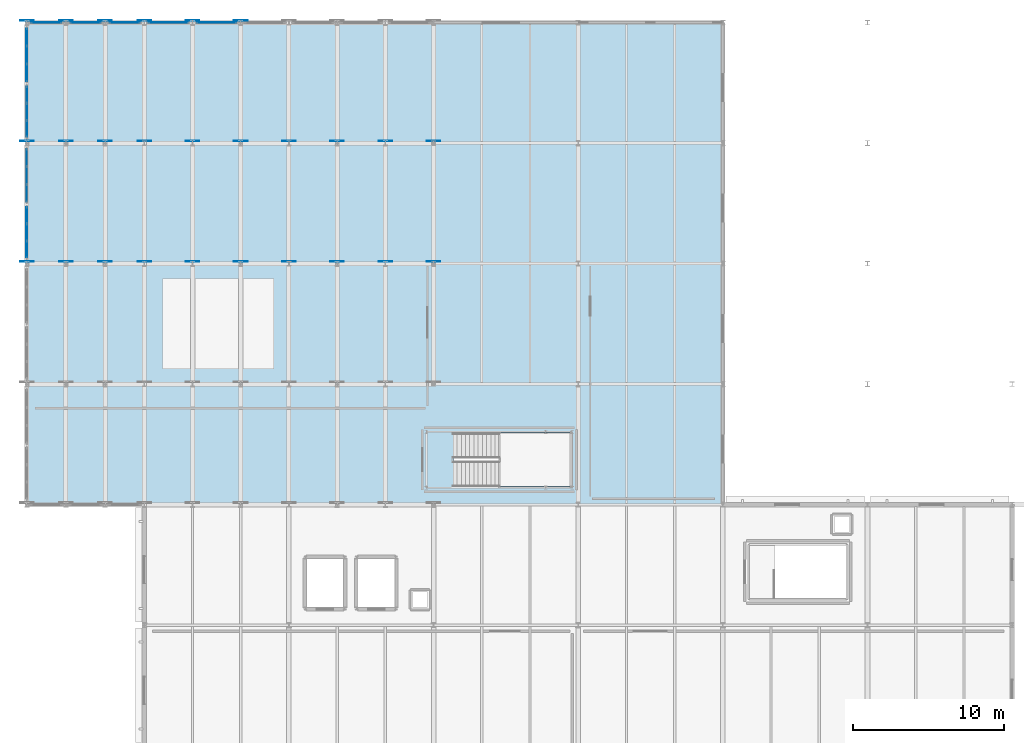
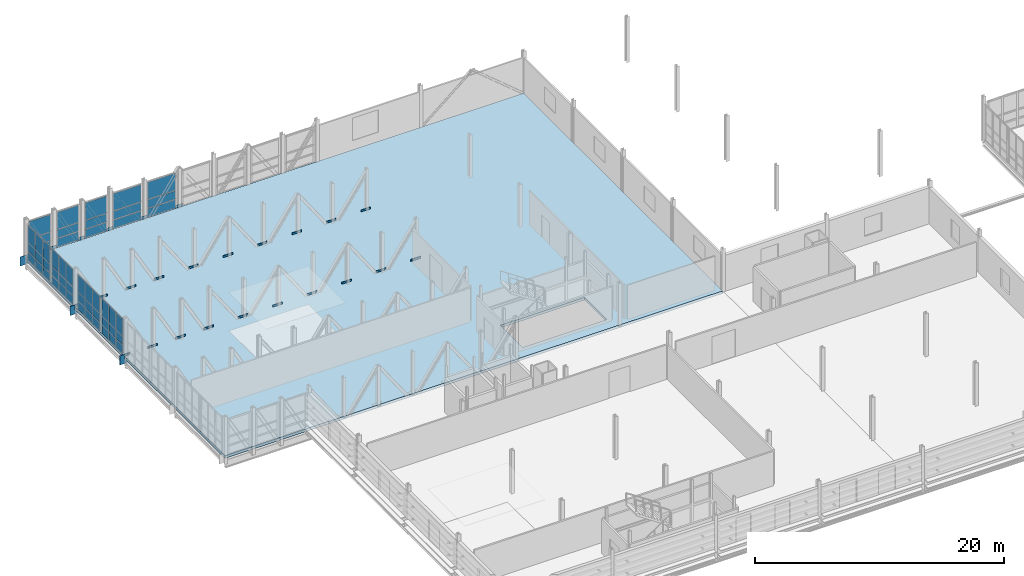
# One storey, part 52 of 73: 77 plates, 1 slab, 9 elements without a shape of their own.
"""IFC4 building model written with IfcOpenShell, lengths in metres."""

from ifc_helpers import new_model, si_unit, direction, frame, origin, origin_2d, place, context, subcontext, project, spatial, polyline, rectangle, outline, extrude, material, layer, layer_set, type_object, element, aggregate, save


model = new_model("IFC4")

# Units and contexts
model_context = context("Model", 3, precision=1e-05, world=origin(), true_north=direction((0.0, 1.0)))
body_context = subcontext(model_context, "Body", "Model", "MODEL_VIEW")
ifc_project = project(units=[si_unit("LENGTHUNIT", "METRE"), si_unit("AREAUNIT", "SQUARE_METRE"), si_unit("VOLUMEUNIT", "CUBIC_METRE"), si_unit("PLANEANGLEUNIT", "RADIAN"), si_unit("MASSUNIT", "GRAM", prefix="KILO")], contexts=[model_context])

# Site, building, storey
site_placement = place(None, origin())
site = spatial("IfcSite", under=ifc_project, at=site_placement, CompositionType="ELEMENT")
building_placement = place(site_placement, origin())
building = spatial("IfcBuilding", under=site, at=building_placement, Name="Alderhovde Museum", CompositionType="ELEMENT")
storey_placement = place(building_placement, frame((0.0, 0.0, 12.89990234375)))
storey = spatial("IfcBuildingStorey", under=building, at=storey_placement, Name="L03", CompositionType="ELEMENT", Elevation=12.89990234375)

# Curtain wall, plates
ifc_material_1 = material(Name="Triple-Glazed Bronze-Anodised Curtain Wall", Category="glass")
ifc_layer_1 = layer(ifc_material_1, 0.179931640625)
ifc_layer_set_1 = layer_set([ifc_layer_1], Name="Triple-Glazed Bronze-Anodised Curtain Wall")
curtain_wall_type_1 = type_object("IfcCurtainWallType", Name="CW-UNIT-360x354", PredefinedType="USERDEFINED", material=ifc_layer_set_1)
curtain_wall_1_placement = place(storey_placement, origin())
curtain_wall_1 = element("IfcCurtainWall", 1, at=curtain_wall_1_placement, inside=storey, type_object=curtain_wall_type_1, Name="L03 Unitised Curtain Wall 96", ObjectType="UNITISED CURTAIN WALL", PredefinedType="USERDEFINED")
ifc_material_2 = material(Name="Triple-Glazed Low-E Laminated Glass", Category="glass")
ifc_layer_2 = layer(ifc_material_2, 0.028076171875)
ifc_layer_set_2 = layer_set([ifc_layer_2], Name="Triple-Glazed Low-E Laminated Glass")
plate_type_1 = type_object("IfcPlateType", Name="CWP-GLAZ-28", PredefinedType="CURTAIN_PANEL", material=ifc_layer_set_2)
plate_1_placement = place(storey_placement, frame((1.800048828125, 100.666259765625, 0.06494140625), z_axis=(0.0, 0.0, 1.0), x_axis=(0.0, 1.0, 0.0)))
plate_1 = element("IfcPlate", 2, at=plate_1_placement, type_object=plate_type_1, Name="CW20 panel 1.1", PredefinedType="CURTAIN_PANEL", context=body_context, shape_type="SweptSolid", body=[
    extrude(rectangle(XDim=1.1025390625, YDim=0.028076171875, at=origin_2d()), origin(), (0.0, 0.0, 1.0), 0.802490234375),
])
plate_2_placement = place(storey_placement, frame((1.800048828125, 100.666259765625, 0.9326171875), z_axis=(0.0, 0.0, 1.0), x_axis=(0.0, 1.0, 0.0)))
plate_2 = element("IfcPlate", 3, at=plate_2_placement, type_object=plate_type_1, Name="CW20 panel 1.2", PredefinedType="CURTAIN_PANEL", context=body_context, shape_type="SweptSolid", body=[
    extrude(rectangle(XDim=1.1025390625, YDim=0.028076171875, at=origin_2d()), origin(), (0.0, 0.0, 1.0), 0.804931640625),
])
plate_3_placement = place(storey_placement, frame((1.800048828125, 100.666259765625, 1.802734375), z_axis=(0.0, 0.0, 1.0), x_axis=(0.0, 1.0, 0.0)))
plate_3 = element("IfcPlate", 4, at=plate_3_placement, type_object=plate_type_1, Name="CW20 panel 1.3", PredefinedType="CURTAIN_PANEL", context=body_context, shape_type="SweptSolid", body=[
    extrude(rectangle(XDim=1.1025390625, YDim=0.028076171875, at=origin_2d()), origin(), (0.0, 0.0, 1.0), 1.672607421875),
])
plate_4_placement = place(storey_placement, frame((1.800048828125, 101.85009765625, 0.06494140625), z_axis=(0.0, 0.0, 1.0), x_axis=(0.0, 1.0, 0.0)))
plate_4 = element("IfcPlate", 5, at=plate_4_placement, type_object=plate_type_1, Name="CW20 panel 2.1", PredefinedType="CURTAIN_PANEL", context=body_context, shape_type="SweptSolid", body=[
    extrude(rectangle(XDim=1.135009765625, YDim=0.028076171875, at=origin_2d()), origin(), (0.0, 0.0, 1.0), 0.802490234375),
])
plate_5_placement = place(storey_placement, frame((1.800048828125, 101.85009765625, 0.9326171875), z_axis=(0.0, 0.0, 1.0), x_axis=(0.0, 1.0, 0.0)))
plate_5 = element("IfcPlate", 6, at=plate_5_placement, type_object=plate_type_1, Name="CW20 panel 2.2", PredefinedType="CURTAIN_PANEL", context=body_context, shape_type="SweptSolid", body=[
    extrude(rectangle(XDim=1.135009765625, YDim=0.028076171875, at=origin_2d()), origin(), (0.0, 0.0, 1.0), 0.804931640625),
])
plate_6_placement = place(storey_placement, frame((1.800048828125, 101.85009765625, 1.802734375), z_axis=(0.0, 0.0, 1.0), x_axis=(0.0, 1.0, 0.0)))
plate_6 = element("IfcPlate", 7, at=plate_6_placement, type_object=plate_type_1, Name="CW20 panel 2.3", PredefinedType="CURTAIN_PANEL", context=body_context, shape_type="SweptSolid", body=[
    extrude(rectangle(XDim=1.135009765625, YDim=0.028076171875, at=origin_2d()), origin(), (0.0, 0.0, 1.0), 1.672607421875),
])
plate_7_placement = place(storey_placement, frame((1.800048828125, 103.03369140625, 0.06494140625), z_axis=(0.0, 0.0, 1.0), x_axis=(0.0, 1.0, 0.0)))
plate_7 = element("IfcPlate", 8, at=plate_7_placement, type_object=plate_type_1, Name="CW20 panel 3.1", PredefinedType="CURTAIN_PANEL", context=body_context, shape_type="SweptSolid", body=[
    extrude(rectangle(XDim=1.1025390625, YDim=0.028076171875, at=origin_2d()), origin(), (0.0, 0.0, 1.0), 0.802490234375),
])
plate_8_placement = place(storey_placement, frame((1.800048828125, 103.03369140625, 0.9326171875), z_axis=(0.0, 0.0, 1.0), x_axis=(0.0, 1.0, 0.0)))
plate_8 = element("IfcPlate", 9, at=plate_8_placement, type_object=plate_type_1, Name="CW20 panel 3.2", PredefinedType="CURTAIN_PANEL", context=body_context, shape_type="SweptSolid", body=[
    extrude(rectangle(XDim=1.1025390625, YDim=0.028076171875, at=origin_2d()), origin(), (0.0, 0.0, 1.0), 0.804931640625),
])
plate_9_placement = place(storey_placement, frame((1.800048828125, 103.03369140625, 1.802734375), z_axis=(0.0, 0.0, 1.0), x_axis=(0.0, 1.0, 0.0)))
plate_9 = element("IfcPlate", 10, at=plate_9_placement, type_object=plate_type_1, Name="CW20 panel 3.3", PredefinedType="CURTAIN_PANEL", context=body_context, shape_type="SweptSolid", body=[
    extrude(rectangle(XDim=1.1025390625, YDim=0.028076171875, at=origin_2d()), origin(), (0.0, 0.0, 1.0), 1.672607421875),
])
aggregate(curtain_wall_1, [plate_1, plate_2, plate_3, plate_4, plate_5, plate_6, plate_7, plate_8, plate_9])

ifc_material_3 = material(Name="Triple-Glazed Bronze-Anodised Curtain Wall", Category="glass")
ifc_layer_3 = layer(ifc_material_3, 0.179931640625)
ifc_layer_set_3 = layer_set([ifc_layer_3], Name="Triple-Glazed Bronze-Anodised Curtain Wall")
curtain_wall_type_2 = type_object("IfcCurtainWallType", Name="CW-UNIT-345x354", PredefinedType="USERDEFINED", material=ifc_layer_set_3)
curtain_wall_2_placement = place(storey_placement, origin())
curtain_wall_2 = element("IfcCurtainWall", 11, at=curtain_wall_2_placement, inside=storey, type_object=curtain_wall_type_2, Name="L03 Unitised Curtain Wall 97", ObjectType="UNITISED CURTAIN WALL", PredefinedType="USERDEFINED")
ifc_material_4 = material(Name="Triple-Glazed Low-E Laminated Glass", Category="glass")
ifc_layer_4 = layer(ifc_material_4, 0.035888671875)
ifc_layer_set_4 = layer_set([ifc_layer_4], Name="Triple-Glazed Low-E Laminated Glass")
plate_type_2 = type_object("IfcPlateType", Name="CWP-GLAZ-36", PredefinedType="CURTAIN_PANEL", material=ifc_layer_set_4)
plate_10_placement = place(storey_placement, frame((1.800048828125, 104.941162109375, 0.06494140625), z_axis=(0.0, 0.0, 1.0), x_axis=(0.0, 1.0, 0.0)))
plate_10 = element("IfcPlate", 12, at=plate_10_placement, type_object=plate_type_2, Name="CW24 panel 1.1", PredefinedType="CURTAIN_PANEL", context=body_context, shape_type="SweptSolid", body=[
    extrude(rectangle(XDim=1.052490234375, YDim=0.035888671875, at=origin_2d()), origin(), (0.0, 0.0, 1.0), 0.802490234375),
])
plate_11_placement = place(storey_placement, frame((1.800048828125, 104.941162109375, 0.9326171875), z_axis=(0.0, 0.0, 1.0), x_axis=(0.0, 1.0, 0.0)))
plate_11 = element("IfcPlate", 13, at=plate_11_placement, type_object=plate_type_2, Name="CW24 panel 1.2", PredefinedType="CURTAIN_PANEL", context=body_context, shape_type="SweptSolid", body=[
    extrude(rectangle(XDim=1.052490234375, YDim=0.035888671875, at=origin_2d()), origin(), (0.0, 0.0, 1.0), 0.804931640625),
])
plate_12_placement = place(storey_placement, frame((1.800048828125, 104.941162109375, 1.802734375), z_axis=(0.0, 0.0, 1.0), x_axis=(0.0, 1.0, 0.0)))
plate_12 = element("IfcPlate", 14, at=plate_12_placement, type_object=plate_type_2, Name="CW24 panel 1.3", PredefinedType="CURTAIN_PANEL", context=body_context, shape_type="SweptSolid", body=[
    extrude(rectangle(XDim=1.052490234375, YDim=0.035888671875, at=origin_2d()), origin(), (0.0, 0.0, 1.0), 1.672607421875),
])
plate_13_placement = place(storey_placement, frame((1.800048828125, 106.074951171875, 0.06494140625), z_axis=(0.0, 0.0, 1.0), x_axis=(0.0, 1.0, 0.0)))
plate_13 = element("IfcPlate", 15, at=plate_13_placement, type_object=plate_type_2, Name="CW24 panel 2.1", PredefinedType="CURTAIN_PANEL", context=body_context, shape_type="SweptSolid", body=[
    extrude(rectangle(XDim=1.0849609375, YDim=0.035888671875, at=origin_2d()), origin(), (0.0, 0.0, 1.0), 0.802490234375),
])
plate_14_placement = place(storey_placement, frame((1.800048828125, 106.074951171875, 0.9326171875), z_axis=(0.0, 0.0, 1.0), x_axis=(0.0, 1.0, 0.0)))
plate_14 = element("IfcPlate", 16, at=plate_14_placement, type_object=plate_type_2, Name="CW24 panel 2.2", PredefinedType="CURTAIN_PANEL", context=body_context, shape_type="SweptSolid", body=[
    extrude(rectangle(XDim=1.0849609375, YDim=0.035888671875, at=origin_2d()), origin(), (0.0, 0.0, 1.0), 0.804931640625),
])
plate_15_placement = place(storey_placement, frame((1.800048828125, 106.074951171875, 1.802734375), z_axis=(0.0, 0.0, 1.0), x_axis=(0.0, 1.0, 0.0)))
plate_15 = element("IfcPlate", 17, at=plate_15_placement, type_object=plate_type_2, Name="CW24 panel 2.3", PredefinedType="CURTAIN_PANEL", context=body_context, shape_type="SweptSolid", body=[
    extrude(rectangle(XDim=1.0849609375, YDim=0.035888671875, at=origin_2d()), origin(), (0.0, 0.0, 1.0), 1.672607421875),
])
plate_16_placement = place(storey_placement, frame((1.800048828125, 107.208740234375, 0.06494140625), z_axis=(0.0, 0.0, 1.0), x_axis=(0.0, 1.0, 0.0)))
plate_16 = element("IfcPlate", 18, at=plate_16_placement, type_object=plate_type_2, Name="CW24 panel 3.1", PredefinedType="CURTAIN_PANEL", context=body_context, shape_type="SweptSolid", body=[
    extrude(rectangle(XDim=1.052490234375, YDim=0.035888671875, at=origin_2d()), origin(), (0.0, 0.0, 1.0), 0.802490234375),
])
plate_17_placement = place(storey_placement, frame((1.800048828125, 107.208740234375, 0.9326171875), z_axis=(0.0, 0.0, 1.0), x_axis=(0.0, 1.0, 0.0)))
plate_17 = element("IfcPlate", 19, at=plate_17_placement, type_object=plate_type_2, Name="CW24 panel 3.2", PredefinedType="CURTAIN_PANEL", context=body_context, shape_type="SweptSolid", body=[
    extrude(rectangle(XDim=1.052490234375, YDim=0.035888671875, at=origin_2d()), origin(), (0.0, 0.0, 1.0), 0.804931640625),
])
plate_18_placement = place(storey_placement, frame((1.800048828125, 107.208740234375, 1.802734375), z_axis=(0.0, 0.0, 1.0), x_axis=(0.0, 1.0, 0.0)))
plate_18 = element("IfcPlate", 20, at=plate_18_placement, type_object=plate_type_2, Name="CW24 panel 3.3", PredefinedType="CURTAIN_PANEL", context=body_context, shape_type="SweptSolid", body=[
    extrude(rectangle(XDim=1.052490234375, YDim=0.035888671875, at=origin_2d()), origin(), (0.0, 0.0, 1.0), 1.672607421875),
])
aggregate(curtain_wall_2, [plate_10, plate_11, plate_12, plate_13, plate_14, plate_15, plate_16, plate_17, plate_18])

ifc_material_5 = material(Name="Triple-Glazed Bronze-Anodised Curtain Wall", Category="glass")
ifc_layer_5 = layer(ifc_material_5, 0.179931640625)
ifc_layer_set_5 = layer_set([ifc_layer_5], Name="Triple-Glazed Bronze-Anodised Curtain Wall")
curtain_wall_type_3 = type_object("IfcCurtainWallType", Name="CW-UNIT-212x354", PredefinedType="USERDEFINED", material=ifc_layer_set_5)
curtain_wall_3_placement = place(storey_placement, origin())
curtain_wall_3 = element("IfcCurtainWall", 21, at=curtain_wall_3_placement, inside=storey, type_object=curtain_wall_type_3, Name="L03 Unitised Curtain Wall 101", ObjectType="UNITISED CURTAIN WALL", PredefinedType="USERDEFINED")
plate_19_placement = place(storey_placement, frame((5.699951171875, 112.0, 0.06494140625), z_axis=(0.0, 0.0, 1.0), x_axis=(1.0, 0.0, 0.0)))
plate_19 = element("IfcPlate", 22, at=plate_19_placement, type_object=plate_type_2, Name="CW25 panel 1.1", PredefinedType="CURTAIN_PANEL", context=body_context, shape_type="SweptSolid", body=[
    extrude(rectangle(XDim=1.989990234375, YDim=0.035888671875, at=origin_2d()), origin(), (0.0, 0.0, 1.0), 0.802490234375),
])
plate_20_placement = place(storey_placement, frame((5.699951171875, 112.0, 0.9326171875), z_axis=(0.0, 0.0, 1.0), x_axis=(1.0, 0.0, 0.0)))
plate_20 = element("IfcPlate", 23, at=plate_20_placement, type_object=plate_type_2, Name="CW25 panel 1.2", PredefinedType="CURTAIN_PANEL", context=body_context, shape_type="SweptSolid", body=[
    extrude(rectangle(XDim=1.989990234375, YDim=0.035888671875, at=origin_2d()), origin(), (0.0, 0.0, 1.0), 0.804931640625),
])
plate_21_placement = place(storey_placement, frame((5.699951171875, 112.0, 1.802734375), z_axis=(0.0, 0.0, 1.0), x_axis=(1.0, 0.0, 0.0)))
plate_21 = element("IfcPlate", 24, at=plate_21_placement, type_object=plate_type_2, Name="CW25 panel 1.3", PredefinedType="CURTAIN_PANEL", context=body_context, shape_type="SweptSolid", body=[
    extrude(rectangle(XDim=1.989990234375, YDim=0.035888671875, at=origin_2d()), origin(), (0.0, 0.0, 1.0), 1.672607421875),
])
aggregate(curtain_wall_3, [plate_19, plate_20, plate_21])

ifc_material_6 = material(Name="Triple-Glazed Bronze-Anodised Curtain Wall", Category="glass")
ifc_layer_6 = layer(ifc_material_6, 0.179931640625)
ifc_layer_set_6 = layer_set([ifc_layer_6], Name="Triple-Glazed Bronze-Anodised Curtain Wall")
curtain_wall_type_4 = type_object("IfcCurtainWallType", Name="CW-UNIT-272x354", PredefinedType="USERDEFINED", material=ifc_layer_set_6)
curtain_wall_4_placement = place(storey_placement, origin())
curtain_wall_4 = element("IfcCurtainWall", 25, at=curtain_wall_4_placement, inside=storey, type_object=curtain_wall_type_4, Name="L03 Unitised Curtain Wall 105", ObjectType="UNITISED CURTAIN WALL", PredefinedType="USERDEFINED")
plate_22_placement = place(storey_placement, frame((11.199951171875, 112.0, 0.06494140625), z_axis=(0.0, 0.0, 1.0), x_axis=(1.0, 0.0, 0.0)))
plate_22 = element("IfcPlate", 26, at=plate_22_placement, type_object=plate_type_2, Name="CW26 panel 1.1", PredefinedType="CURTAIN_PANEL", context=body_context, shape_type="SweptSolid", body=[
    extrude(rectangle(XDim=2.590087890625, YDim=0.035888671875, at=origin_2d()), origin(), (0.0, 0.0, 1.0), 0.802490234375),
])
plate_23_placement = place(storey_placement, frame((11.199951171875, 112.0, 0.9326171875), z_axis=(0.0, 0.0, 1.0), x_axis=(1.0, 0.0, 0.0)))
plate_23 = element("IfcPlate", 27, at=plate_23_placement, type_object=plate_type_2, Name="CW26 panel 1.2", PredefinedType="CURTAIN_PANEL", context=body_context, shape_type="SweptSolid", body=[
    extrude(rectangle(XDim=2.590087890625, YDim=0.035888671875, at=origin_2d()), origin(), (0.0, 0.0, 1.0), 0.804931640625),
])
plate_24_placement = place(storey_placement, frame((11.199951171875, 112.0, 1.802734375), z_axis=(0.0, 0.0, 1.0), x_axis=(1.0, 0.0, 0.0)))
plate_24 = element("IfcPlate", 28, at=plate_24_placement, type_object=plate_type_2, Name="CW26 panel 1.3", PredefinedType="CURTAIN_PANEL", context=body_context, shape_type="SweptSolid", body=[
    extrude(rectangle(XDim=2.590087890625, YDim=0.035888671875, at=origin_2d()), origin(), (0.0, 0.0, 1.0), 1.672607421875),
])
aggregate(curtain_wall_4, [plate_22, plate_23, plate_24])

curtain_wall_5_placement = place(storey_placement, origin())
curtain_wall_5 = element("IfcCurtainWall", 29, at=curtain_wall_5_placement, inside=storey, type_object=curtain_wall_type_1, Name="L03 Unitised Curtain Wall 98", ObjectType="UNITISED CURTAIN WALL", PredefinedType="USERDEFINED")
ifc_material_7 = material(Name="Triple-Glazed Low-E Laminated Glass", Category="glass")
ifc_layer_7 = layer(ifc_material_7, 0.0439453125)
ifc_layer_set_7 = layer_set([ifc_layer_7], Name="Triple-Glazed Low-E Laminated Glass")
plate_type_3 = type_object("IfcPlateType", Name="CWP-GLAZ-44", PredefinedType="CURTAIN_PANEL", material=ifc_layer_set_7)
plate_25_placement = place(storey_placement, frame((1.800048828125, 108.666259765625, 0.06494140625), z_axis=(0.0, 0.0, 1.0), x_axis=(0.0, 1.0, 0.0)))
plate_25 = element("IfcPlate", 30, at=plate_25_placement, type_object=plate_type_3, Name="CW20 panel 1.1", PredefinedType="CURTAIN_PANEL", context=body_context, shape_type="SweptSolid", body=[
    extrude(rectangle(XDim=1.1025390625, YDim=0.0439453125, at=origin_2d()), origin(), (0.0, 0.0, 1.0), 0.802490234375),
])
plate_26_placement = place(storey_placement, frame((1.800048828125, 108.666259765625, 0.9326171875), z_axis=(0.0, 0.0, 1.0), x_axis=(0.0, 1.0, 0.0)))
plate_26 = element("IfcPlate", 31, at=plate_26_placement, type_object=plate_type_3, Name="CW20 panel 1.2", PredefinedType="CURTAIN_PANEL", context=body_context, shape_type="SweptSolid", body=[
    extrude(rectangle(XDim=1.1025390625, YDim=0.0439453125, at=origin_2d()), origin(), (0.0, 0.0, 1.0), 0.804931640625),
])
plate_27_placement = place(storey_placement, frame((1.800048828125, 108.666259765625, 1.802734375), z_axis=(0.0, 0.0, 1.0), x_axis=(0.0, 1.0, 0.0)))
plate_27 = element("IfcPlate", 32, at=plate_27_placement, type_object=plate_type_3, Name="CW20 panel 1.3", PredefinedType="CURTAIN_PANEL", context=body_context, shape_type="SweptSolid", body=[
    extrude(rectangle(XDim=1.1025390625, YDim=0.0439453125, at=origin_2d()), origin(), (0.0, 0.0, 1.0), 1.672607421875),
])
plate_28_placement = place(storey_placement, frame((1.800048828125, 109.85009765625, 0.06494140625), z_axis=(0.0, 0.0, 1.0), x_axis=(0.0, 1.0, 0.0)))
plate_28 = element("IfcPlate", 33, at=plate_28_placement, type_object=plate_type_3, Name="CW20 panel 2.1", PredefinedType="CURTAIN_PANEL", context=body_context, shape_type="SweptSolid", body=[
    extrude(rectangle(XDim=1.135009765625, YDim=0.0439453125, at=origin_2d()), origin(), (0.0, 0.0, 1.0), 0.802490234375),
])
plate_29_placement = place(storey_placement, frame((1.800048828125, 109.85009765625, 0.9326171875), z_axis=(0.0, 0.0, 1.0), x_axis=(0.0, 1.0, 0.0)))
plate_29 = element("IfcPlate", 34, at=plate_29_placement, type_object=plate_type_3, Name="CW20 panel 2.2", PredefinedType="CURTAIN_PANEL", context=body_context, shape_type="SweptSolid", body=[
    extrude(rectangle(XDim=1.135009765625, YDim=0.0439453125, at=origin_2d()), origin(), (0.0, 0.0, 1.0), 0.804931640625),
])
plate_30_placement = place(storey_placement, frame((1.800048828125, 109.85009765625, 1.802734375), z_axis=(0.0, 0.0, 1.0), x_axis=(0.0, 1.0, 0.0)))
plate_30 = element("IfcPlate", 35, at=plate_30_placement, type_object=plate_type_3, Name="CW20 panel 2.3", PredefinedType="CURTAIN_PANEL", context=body_context, shape_type="SweptSolid", body=[
    extrude(rectangle(XDim=1.135009765625, YDim=0.0439453125, at=origin_2d()), origin(), (0.0, 0.0, 1.0), 1.672607421875),
])
plate_31_placement = place(storey_placement, frame((1.800048828125, 111.03369140625, 0.06494140625), z_axis=(0.0, 0.0, 1.0), x_axis=(0.0, 1.0, 0.0)))
plate_31 = element("IfcPlate", 36, at=plate_31_placement, type_object=plate_type_3, Name="CW20 panel 3.1", PredefinedType="CURTAIN_PANEL", context=body_context, shape_type="SweptSolid", body=[
    extrude(rectangle(XDim=1.1025390625, YDim=0.0439453125, at=origin_2d()), origin(), (0.0, 0.0, 1.0), 0.802490234375),
])
plate_32_placement = place(storey_placement, frame((1.800048828125, 111.03369140625, 0.9326171875), z_axis=(0.0, 0.0, 1.0), x_axis=(0.0, 1.0, 0.0)))
plate_32 = element("IfcPlate", 37, at=plate_32_placement, type_object=plate_type_3, Name="CW20 panel 3.2", PredefinedType="CURTAIN_PANEL", context=body_context, shape_type="SweptSolid", body=[
    extrude(rectangle(XDim=1.1025390625, YDim=0.0439453125, at=origin_2d()), origin(), (0.0, 0.0, 1.0), 0.804931640625),
])
plate_33_placement = place(storey_placement, frame((1.800048828125, 111.03369140625, 1.802734375), z_axis=(0.0, 0.0, 1.0), x_axis=(0.0, 1.0, 0.0)))
plate_33 = element("IfcPlate", 38, at=plate_33_placement, type_object=plate_type_3, Name="CW20 panel 3.3", PredefinedType="CURTAIN_PANEL", context=body_context, shape_type="SweptSolid", body=[
    extrude(rectangle(XDim=1.1025390625, YDim=0.0439453125, at=origin_2d()), origin(), (0.0, 0.0, 1.0), 1.672607421875),
])
aggregate(curtain_wall_5, [plate_25, plate_26, plate_27, plate_28, plate_29, plate_30, plate_31, plate_32, plate_33])

curtain_wall_6_placement = place(storey_placement, origin())
curtain_wall_6 = element("IfcCurtainWall", 39, at=curtain_wall_6_placement, inside=storey, type_object=curtain_wall_type_4, Name="L03 Unitised Curtain Wall 106", ObjectType="UNITISED CURTAIN WALL", PredefinedType="USERDEFINED")
plate_34_placement = place(storey_placement, frame((14.39990234375, 112.0, 0.06494140625), z_axis=(0.0, 0.0, 1.0), x_axis=(1.0, 0.0, 0.0)))
plate_34 = element("IfcPlate", 40, at=plate_34_placement, type_object=plate_type_3, Name="CW26 panel 1.1", PredefinedType="CURTAIN_PANEL", context=body_context, shape_type="SweptSolid", body=[
    extrude(rectangle(XDim=2.590087890625, YDim=0.0439453125, at=origin_2d()), origin(), (0.0, 0.0, 1.0), 0.802490234375),
])
plate_35_placement = place(storey_placement, frame((14.39990234375, 112.0, 0.9326171875), z_axis=(0.0, 0.0, 1.0), x_axis=(1.0, 0.0, 0.0)))
plate_35 = element("IfcPlate", 41, at=plate_35_placement, type_object=plate_type_3, Name="CW26 panel 1.2", PredefinedType="CURTAIN_PANEL", context=body_context, shape_type="SweptSolid", body=[
    extrude(rectangle(XDim=2.590087890625, YDim=0.0439453125, at=origin_2d()), origin(), (0.0, 0.0, 1.0), 0.804931640625),
])
plate_36_placement = place(storey_placement, frame((14.39990234375, 112.0, 1.802734375), z_axis=(0.0, 0.0, 1.0), x_axis=(1.0, 0.0, 0.0)))
plate_36 = element("IfcPlate", 42, at=plate_36_placement, type_object=plate_type_3, Name="CW26 panel 1.3", PredefinedType="CURTAIN_PANEL", context=body_context, shape_type="SweptSolid", body=[
    extrude(rectangle(XDim=2.590087890625, YDim=0.0439453125, at=origin_2d()), origin(), (0.0, 0.0, 1.0), 1.672607421875),
])
aggregate(curtain_wall_6, [plate_34, plate_35, plate_36])

curtain_wall_7_placement = place(storey_placement, origin())
curtain_wall_7 = element("IfcCurtainWall", 43, at=curtain_wall_7_placement, inside=storey, type_object=curtain_wall_type_2, Name="L03 Unitised Curtain Wall 95", ObjectType="UNITISED CURTAIN WALL", PredefinedType="USERDEFINED")
ifc_material_8 = material(Name="Triple-Glazed Low-E Laminated Glass", Category="glass")
ifc_layer_8 = layer(ifc_material_8, 0.052001953125)
ifc_layer_set_8 = layer_set([ifc_layer_8], Name="Triple-Glazed Low-E Laminated Glass")
plate_type_4 = type_object("IfcPlateType", Name="CWP-GLAZ-52", PredefinedType="CURTAIN_PANEL", material=ifc_layer_set_8)
plate_37_placement = place(storey_placement, frame((1.800048828125, 96.941162109375, 0.06494140625), z_axis=(0.0, 0.0, 1.0), x_axis=(0.0, 1.0, 0.0)))
plate_37 = element("IfcPlate", 44, at=plate_37_placement, type_object=plate_type_4, Name="CW24 panel 1.1", PredefinedType="CURTAIN_PANEL", context=body_context, shape_type="SweptSolid", body=[
    extrude(rectangle(XDim=1.052490234375, YDim=0.052001953125, at=origin_2d()), origin(), (0.0, 0.0, 1.0), 0.802490234375),
])
plate_38_placement = place(storey_placement, frame((1.800048828125, 96.941162109375, 0.9326171875), z_axis=(0.0, 0.0, 1.0), x_axis=(0.0, 1.0, 0.0)))
plate_38 = element("IfcPlate", 45, at=plate_38_placement, type_object=plate_type_4, Name="CW24 panel 1.2", PredefinedType="CURTAIN_PANEL", context=body_context, shape_type="SweptSolid", body=[
    extrude(rectangle(XDim=1.052490234375, YDim=0.052001953125, at=origin_2d()), origin(), (0.0, 0.0, 1.0), 0.804931640625),
])
plate_39_placement = place(storey_placement, frame((1.800048828125, 96.941162109375, 1.802734375), z_axis=(0.0, 0.0, 1.0), x_axis=(0.0, 1.0, 0.0)))
plate_39 = element("IfcPlate", 46, at=plate_39_placement, type_object=plate_type_4, Name="CW24 panel 1.3", PredefinedType="CURTAIN_PANEL", context=body_context, shape_type="SweptSolid", body=[
    extrude(rectangle(XDim=1.052490234375, YDim=0.052001953125, at=origin_2d()), origin(), (0.0, 0.0, 1.0), 1.672607421875),
])
plate_40_placement = place(storey_placement, frame((1.800048828125, 98.074951171875, 0.06494140625), z_axis=(0.0, 0.0, 1.0), x_axis=(0.0, 1.0, 0.0)))
plate_40 = element("IfcPlate", 47, at=plate_40_placement, type_object=plate_type_4, Name="CW24 panel 2.1", PredefinedType="CURTAIN_PANEL", context=body_context, shape_type="SweptSolid", body=[
    extrude(rectangle(XDim=1.0849609375, YDim=0.052001953125, at=origin_2d()), origin(), (0.0, 0.0, 1.0), 0.802490234375),
])
plate_41_placement = place(storey_placement, frame((1.800048828125, 98.074951171875, 0.9326171875), z_axis=(0.0, 0.0, 1.0), x_axis=(0.0, 1.0, 0.0)))
plate_41 = element("IfcPlate", 48, at=plate_41_placement, type_object=plate_type_4, Name="CW24 panel 2.2", PredefinedType="CURTAIN_PANEL", context=body_context, shape_type="SweptSolid", body=[
    extrude(rectangle(XDim=1.0849609375, YDim=0.052001953125, at=origin_2d()), origin(), (0.0, 0.0, 1.0), 0.804931640625),
])
plate_42_placement = place(storey_placement, frame((1.800048828125, 98.074951171875, 1.802734375), z_axis=(0.0, 0.0, 1.0), x_axis=(0.0, 1.0, 0.0)))
plate_42 = element("IfcPlate", 49, at=plate_42_placement, type_object=plate_type_4, Name="CW24 panel 2.3", PredefinedType="CURTAIN_PANEL", context=body_context, shape_type="SweptSolid", body=[
    extrude(rectangle(XDim=1.0849609375, YDim=0.052001953125, at=origin_2d()), origin(), (0.0, 0.0, 1.0), 1.672607421875),
])
plate_43_placement = place(storey_placement, frame((1.800048828125, 99.208740234375, 0.06494140625), z_axis=(0.0, 0.0, 1.0), x_axis=(0.0, 1.0, 0.0)))
plate_43 = element("IfcPlate", 50, at=plate_43_placement, type_object=plate_type_4, Name="CW24 panel 3.1", PredefinedType="CURTAIN_PANEL", context=body_context, shape_type="SweptSolid", body=[
    extrude(rectangle(XDim=1.052490234375, YDim=0.052001953125, at=origin_2d()), origin(), (0.0, 0.0, 1.0), 0.802490234375),
])
plate_44_placement = place(storey_placement, frame((1.800048828125, 99.208740234375, 0.9326171875), z_axis=(0.0, 0.0, 1.0), x_axis=(0.0, 1.0, 0.0)))
plate_44 = element("IfcPlate", 51, at=plate_44_placement, type_object=plate_type_4, Name="CW24 panel 3.2", PredefinedType="CURTAIN_PANEL", context=body_context, shape_type="SweptSolid", body=[
    extrude(rectangle(XDim=1.052490234375, YDim=0.052001953125, at=origin_2d()), origin(), (0.0, 0.0, 1.0), 0.804931640625),
])
plate_45_placement = place(storey_placement, frame((1.800048828125, 99.208740234375, 1.802734375), z_axis=(0.0, 0.0, 1.0), x_axis=(0.0, 1.0, 0.0)))
plate_45 = element("IfcPlate", 52, at=plate_45_placement, type_object=plate_type_4, Name="CW24 panel 3.3", PredefinedType="CURTAIN_PANEL", context=body_context, shape_type="SweptSolid", body=[
    extrude(rectangle(XDim=1.052490234375, YDim=0.052001953125, at=origin_2d()), origin(), (0.0, 0.0, 1.0), 1.672607421875),
])
aggregate(curtain_wall_7, [plate_37, plate_38, plate_39, plate_40, plate_41, plate_42, plate_43, plate_44, plate_45])

curtain_wall_8_placement = place(storey_placement, origin())
curtain_wall_8 = element("IfcCurtainWall", 53, at=curtain_wall_8_placement, inside=storey, type_object=curtain_wall_type_3, Name="L03 Unitised Curtain Wall 99", ObjectType="UNITISED CURTAIN WALL", PredefinedType="USERDEFINED")
plate_46_placement = place(storey_placement, frame((3.10009765625, 112.0, 0.06494140625), z_axis=(0.0, 0.0, 1.0), x_axis=(1.0, 0.0, 0.0)))
plate_46 = element("IfcPlate", 54, at=plate_46_placement, type_object=plate_type_4, Name="CW25 panel 1.1", PredefinedType="CURTAIN_PANEL", context=body_context, shape_type="SweptSolid", body=[
    extrude(rectangle(XDim=1.989990234375, YDim=0.052001953125, at=origin_2d()), origin(), (0.0, 0.0, 1.0), 0.802490234375),
])
plate_47_placement = place(storey_placement, frame((3.10009765625, 112.0, 0.9326171875), z_axis=(0.0, 0.0, 1.0), x_axis=(1.0, 0.0, 0.0)))
plate_47 = element("IfcPlate", 55, at=plate_47_placement, type_object=plate_type_4, Name="CW25 panel 1.2", PredefinedType="CURTAIN_PANEL", context=body_context, shape_type="SweptSolid", body=[
    extrude(rectangle(XDim=1.989990234375, YDim=0.052001953125, at=origin_2d()), origin(), (0.0, 0.0, 1.0), 0.804931640625),
])
plate_48_placement = place(storey_placement, frame((3.10009765625, 112.0, 1.802734375), z_axis=(0.0, 0.0, 1.0), x_axis=(1.0, 0.0, 0.0)))
plate_48 = element("IfcPlate", 56, at=plate_48_placement, type_object=plate_type_4, Name="CW25 panel 1.3", PredefinedType="CURTAIN_PANEL", context=body_context, shape_type="SweptSolid", body=[
    extrude(rectangle(XDim=1.989990234375, YDim=0.052001953125, at=origin_2d()), origin(), (0.0, 0.0, 1.0), 1.672607421875),
])
aggregate(curtain_wall_8, [plate_46, plate_47, plate_48])

curtain_wall_9_placement = place(storey_placement, origin())
curtain_wall_9 = element("IfcCurtainWall", 57, at=curtain_wall_9_placement, inside=storey, type_object=curtain_wall_type_3, Name="L03 Unitised Curtain Wall 103", ObjectType="UNITISED CURTAIN WALL", PredefinedType="USERDEFINED")
plate_49_placement = place(storey_placement, frame((8.300048828125, 112.0, 0.06494140625), z_axis=(0.0, 0.0, 1.0), x_axis=(1.0, 0.0, 0.0)))
plate_49 = element("IfcPlate", 58, at=plate_49_placement, type_object=plate_type_4, Name="CW25 panel 1.1", PredefinedType="CURTAIN_PANEL", context=body_context, shape_type="SweptSolid", body=[
    extrude(rectangle(XDim=1.989990234375, YDim=0.052001953125, at=origin_2d()), origin(), (0.0, 0.0, 1.0), 0.802490234375),
])
plate_50_placement = place(storey_placement, frame((8.300048828125, 112.0, 0.9326171875), z_axis=(0.0, 0.0, 1.0), x_axis=(1.0, 0.0, 0.0)))
plate_50 = element("IfcPlate", 59, at=plate_50_placement, type_object=plate_type_4, Name="CW25 panel 1.2", PredefinedType="CURTAIN_PANEL", context=body_context, shape_type="SweptSolid", body=[
    extrude(rectangle(XDim=1.989990234375, YDim=0.052001953125, at=origin_2d()), origin(), (0.0, 0.0, 1.0), 0.804931640625),
])
plate_51_placement = place(storey_placement, frame((8.300048828125, 112.0, 1.802734375), z_axis=(0.0, 0.0, 1.0), x_axis=(1.0, 0.0, 0.0)))
plate_51 = element("IfcPlate", 60, at=plate_51_placement, type_object=plate_type_4, Name="CW25 panel 1.3", PredefinedType="CURTAIN_PANEL", context=body_context, shape_type="SweptSolid", body=[
    extrude(rectangle(XDim=1.989990234375, YDim=0.052001953125, at=origin_2d()), origin(), (0.0, 0.0, 1.0), 1.672607421875),
])
aggregate(curtain_wall_9, [plate_49, plate_50, plate_51])

# Plates
ifc_material_9 = material(Name="Steel S355J2", Category="steel")
ifc_layer_9 = layer(ifc_material_9, 0.035888671875)
ifc_layer_set_9 = layer_set([ifc_layer_9], Name="Steel S355J2")
plate_type_5 = type_object("IfcPlateType", Name="PLT-GUSSET-36", PredefinedType="USERDEFINED", material=ifc_layer_set_9)
for number, where, z_axis, x_axis, name in (
    (61, (1.800048828125, 96.1298828125, -0.719970703125), (0.0, 0.0, 1.0), (1.0, 0.0, 0.0), "Transfer Truss Gusset Plate Y=96 T1-1"),
    (62, (4.39990234375, 96.1298828125, -0.719970703125), (0.0, 0.0, 1.0), (1.0, 0.0, 0.0), "Transfer Truss Gusset Plate Y=96 T1-2"),
    (63, (7.0, 96.1298828125, -0.719970703125), (0.0, 0.0, 1.0), (1.0, 0.0, 0.0), "Transfer Truss Gusset Plate Y=96 T1-3"),
    (64, (9.60009765625, 96.1298828125, -0.719970703125), (0.0, 0.0, 1.0), (1.0, 0.0, 0.0), "Transfer Truss Gusset Plate Y=96 T1-4"),
    (65, (12.800048828125, 96.1298828125, -0.719970703125), (0.0, 0.0, 1.0), (1.0, 0.0, 0.0), "Transfer Truss Gusset Plate Y=96 T1-5"),
    (66, (16.0, 96.1298828125, -0.719970703125), (0.0, 0.0, 1.0), (1.0, 0.0, 0.0), "Transfer Truss Gusset Plate Y=96 T1-6"),
    (67, (19.199951171875, 96.1298828125, -0.719970703125), (0.0, 0.0, 1.0), (1.0, 0.0, 0.0), "Transfer Truss Gusset Plate Y=96 T1-7"),
    (68, (22.39990234375, 96.1298828125, -0.719970703125), (0.0, 0.0, 1.0), (1.0, 0.0, 0.0), "Transfer Truss Gusset Plate Y=96 T1-8"),
    (69, (25.60009765625, 96.1298828125, -0.719970703125), (0.0, 0.0, 1.0), (1.0, 0.0, 0.0), "Transfer Truss Gusset Plate Y=96 T1-9"),
    (70, (28.800048828125, 96.1298828125, -0.719970703125), (0.0, 0.0, 1.0), (1.0, 0.0, 0.0), "Transfer Truss Gusset Plate Y=96 T1-10"),
    (71, (1.800048828125, 104.1298828125, -0.719970703125), (0.0, 0.0, 1.0), (1.0, 0.0, 0.0), "Transfer Truss Gusset Plate Y=104 T1-1"),
    (72, (4.39990234375, 104.1298828125, -0.719970703125), (0.0, 0.0, 1.0), (1.0, 0.0, 0.0), "Transfer Truss Gusset Plate Y=104 T1-2"),
    (73, (7.0, 104.1298828125, -0.719970703125), (0.0, 0.0, 1.0), (1.0, 0.0, 0.0), "Transfer Truss Gusset Plate Y=104 T1-3"),
    (74, (9.60009765625, 104.1298828125, -0.719970703125), (0.0, 0.0, 1.0), (1.0, 0.0, 0.0), "Transfer Truss Gusset Plate Y=104 T1-4"),
    (75, (12.800048828125, 104.1298828125, -0.719970703125), (0.0, 0.0, 1.0), (1.0, 0.0, 0.0), "Transfer Truss Gusset Plate Y=104 T1-5"),
    (76, (16.0, 104.1298828125, -0.719970703125), (0.0, 0.0, 1.0), (1.0, 0.0, 0.0), "Transfer Truss Gusset Plate Y=104 T1-6"),
    (77, (19.199951171875, 104.1298828125, -0.719970703125), (0.0, 0.0, 1.0), (1.0, 0.0, 0.0), "Transfer Truss Gusset Plate Y=104 T1-7"),
    (78, (22.39990234375, 104.1298828125, -0.719970703125), (0.0, 0.0, 1.0), (1.0, 0.0, 0.0), "Transfer Truss Gusset Plate Y=104 T1-8"),
    (79, (25.60009765625, 104.1298828125, -0.719970703125), (0.0, 0.0, 1.0), (1.0, 0.0, 0.0), "Transfer Truss Gusset Plate Y=104 T1-9"),
    (80, (28.800048828125, 104.1298828125, -0.719970703125), (0.0, 0.0, 1.0), (1.0, 0.0, 0.0), "Transfer Truss Gusset Plate Y=104 T1-10"),
    (81, (1.800048828125, 112.1298828125, -0.719970703125), (0.0, 0.0, 1.0), (1.0, 0.0, 0.0), "Transfer Truss Gusset Plate Y=112 T1-1"),
    (82, (4.39990234375, 112.1298828125, -0.719970703125), (0.0, 0.0, 1.0), (1.0, 0.0, 0.0), "Transfer Truss Gusset Plate Y=112 T1-2"),
    (83, (7.0, 112.1298828125, -0.719970703125), (0.0, 0.0, 1.0), (1.0, 0.0, 0.0), "Transfer Truss Gusset Plate Y=112 T1-3"),
    (84, (9.60009765625, 112.1298828125, -0.719970703125), (0.0, 0.0, 1.0), (1.0, 0.0, 0.0), "Transfer Truss Gusset Plate Y=112 T1-4"),
    (85, (12.800048828125, 112.1298828125, -0.719970703125), (0.0, 0.0, 1.0), (1.0, 0.0, 0.0), "Transfer Truss Gusset Plate Y=112 T1-5"),
    (86, (16.0, 112.1298828125, -0.719970703125), (0.0, 0.0, 1.0), (1.0, 0.0, 0.0), "Transfer Truss Gusset Plate Y=112 T1-6"),
):
    element("IfcPlate", number, at=place(storey_placement, frame(where, z_axis=z_axis, x_axis=x_axis)), inside=storey, type_object=plate_type_5, Name=name, ObjectType="GUSSET PLATE", PredefinedType="USERDEFINED", context=body_context, shape_type="SweptSolid", body=[
        extrude(rectangle(XDim=0.89990234375, YDim=0.035888671875, at=origin_2d()), origin(), (0.0, 0.0, 1.0), 0.89990234375),
    ])

# Slab
ifc_material_10 = material(Name="Concrete C35/45", Category="concrete")
ifc_layer_10 = layer(ifc_material_10, 0.260009765625)
ifc_layer_set_10 = layer_set([ifc_layer_10], Name="Concrete C35/45")
slab_type = type_object("IfcSlabType", Name="SLB-FLR-260HD", PredefinedType="FLOOR", material=ifc_layer_set_10)
slab_placement = place(storey_placement, frame((0.0, 0.0, -0.260009765625)))
element("IfcSlab", 87, at=slab_placement, inside=storey, type_object=slab_type, Name="L03 VOL4 Structural Slab", PredefinedType="FLOOR", context=body_context, shape_type="SweptSolid", body=[
    extrude(outline(polyline([(1.800048828125, 80.0), (48.0, 80.0), (48.0, 112.0), (1.800048828125, 112.0), (1.800048828125, 80.0)]), holes=[polyline([(30.110107421875, 81.199951171875), (37.919921875, 81.199951171875), (37.919921875, 84.760009765625), (30.110107421875, 84.760009765625), (30.110107421875, 81.199951171875)])]), origin(), (0.0, 0.0, 1.0), 0.260009765625),
])

save(model, "model.ifc")
